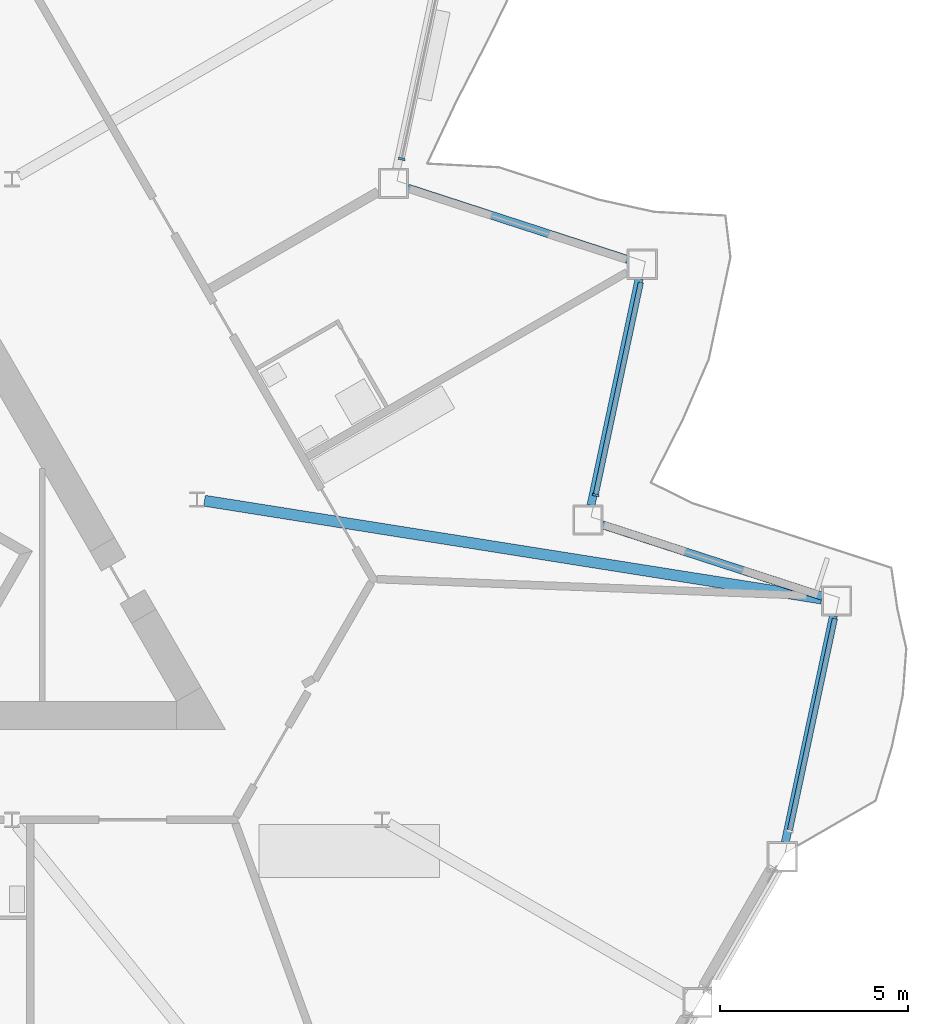
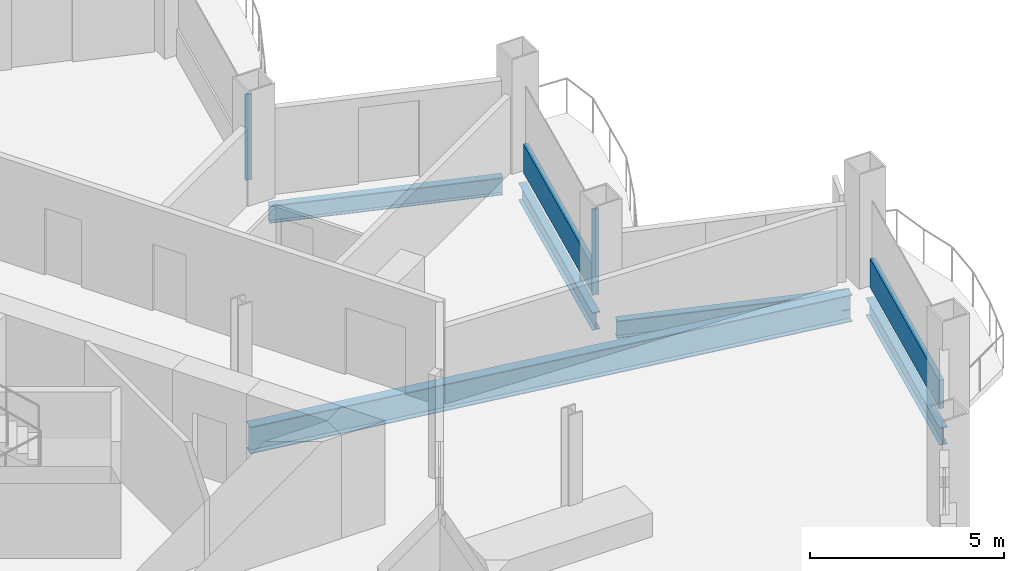
# One storey, part 7 of 23: 5 beams, 4 members, 3 elements without a shape of their own.
"""IFC4 building model written with IfcOpenShell, lengths in metres."""

from ifc_helpers import new_model, si_unit, direction, frame, origin, origin_2d, place, context, subcontext, project, spatial, rectangle, i_section, extrude, material, layer, layer_set, material_profile, profile_set, type_object, element, aggregate, save


model = new_model("IFC4")

# Units and contexts
model_context = context("Model", 3, precision=1e-05, world=origin(), true_north=direction((0.0, 1.0)))
body_context = subcontext(model_context, "Body", "Model", "MODEL_VIEW")
ifc_project = project(units=[si_unit("LENGTHUNIT", "METRE"), si_unit("AREAUNIT", "SQUARE_METRE"), si_unit("VOLUMEUNIT", "CUBIC_METRE"), si_unit("PLANEANGLEUNIT", "RADIAN"), si_unit("MASSUNIT", "GRAM", prefix="KILO")], contexts=[model_context])

# Site, building, storey
site_placement = place(None, origin())
site = spatial("IfcSite", under=ifc_project, at=site_placement, CompositionType="ELEMENT")
building_placement = place(site_placement, origin())
building = spatial("IfcBuilding", under=site, at=building_placement, Name="Cormorant Prow Tower", CompositionType="ELEMENT")
storey_placement = place(building_placement, frame((0.0, 0.0, 212.39990234375)))
storey = spatial("IfcBuildingStorey", under=building, at=storey_placement, Name="L47", CompositionType="ELEMENT", Elevation=212.39990234375)

# Curtain wall, member
ifc_material_1 = material(Name="Aluminium 6063-T6", Category="aluminium")
ifc_layer = layer(ifc_material_1, 0.179931640625)
ifc_layer_set = layer_set([ifc_layer], Name="Aluminium 6063-T6")
curtain_wall_type = type_object("IfcCurtainWallType", Name="Hotel unitised curtain wall 180", PredefinedType="NOTDEFINED", material=ifc_layer_set)
curtain_wall_1_placement = place(storey_placement, origin())
curtain_wall_1 = element("IfcCurtainWall", 1, at=curtain_wall_1_placement, inside=storey, type_object=curtain_wall_type, Name="Hotel curtain wall ENE02", PredefinedType="NOTDEFINED")
ifc_material_2 = material(Name="Aluminium 6063-T6", Category="aluminium")
ifc_material_profile_1 = material_profile(ifc_material_2, rectangle(XDim=0.179931640625, YDim=0.06005859375, at=origin_2d()), Name="Hotel mullion 60x180")
ifc_profile_set_1 = profile_set([ifc_material_profile_1], Name="Aluminium 6063-T6")
member_type_1 = type_object("IfcMemberType", Name="Hotel mullion 60x180", PredefinedType="MULLION", material=ifc_profile_set_1)
member_1_placement = place(storey_placement, frame((25.33837890625, -2.71728515625, 0.0), z_axis=(0.0, 0.0, 1.0), x_axis=(-0.978147602617, 0.207911681957, 0.0)))
member_1 = element("IfcMember", 2, at=member_1_placement, type_object=member_type_1, Name="Hotel mullion ENE02", PredefinedType="MULLION", context=body_context, shape_type="SweptSolid", body=[
    extrude(rectangle(XDim=0.179931640625, YDim=0.06005859375, at=origin_2d()), origin(), (0.0, 0.0, 1.0), 2.700927734375),
])

curtain_wall_2_placement = place(storey_placement, origin())
curtain_wall_2 = element("IfcCurtainWall", 3, at=curtain_wall_2_placement, inside=storey, type_object=curtain_wall_type, Name="Hotel curtain wall ENE04", PredefinedType="NOTDEFINED")
member_2_placement = place(storey_placement, frame((20.182861328125, 6.21240234375, 0.0), z_axis=(0.0, 0.0, 1.0), x_axis=(-0.978147596387, 0.20791171127, 0.0)))
member_2 = element("IfcMember", 4, at=member_2_placement, type_object=member_type_1, Name="Hotel mullion ENE04", PredefinedType="MULLION", context=body_context, shape_type="SweptSolid", body=[
    extrude(rectangle(XDim=0.179931640625, YDim=0.06005859375, at=origin_2d()), origin(), (0.0, 0.0, 1.0), 2.700927734375),
])
aggregate(curtain_wall_2, [member_2])

curtain_wall_3_placement = place(storey_placement, origin())
curtain_wall_3 = element("IfcCurtainWall", 5, at=curtain_wall_3_placement, inside=storey, type_object=curtain_wall_type, Name="Hotel curtain wall ENE00", PredefinedType="NOTDEFINED")
ifc_material_3 = material(Name="Terracotta", Category="masonry")
ifc_material_profile_2 = material_profile(ifc_material_3, rectangle(XDim=0.139892578125, YDim=0.89990234375, at=origin_2d()), Name="Hotel terracotta spandrel rail 140x900")
ifc_profile_set_2 = profile_set([ifc_material_profile_2], Name="Terracotta")
member_type_2 = type_object("IfcMemberType", Name="Hotel terracotta spandrel rail 140x900", PredefinedType="USERDEFINED", material=ifc_profile_set_2)
member_3_placement = place(storey_placement, frame((30.500244140625, -11.617919921875, 0.4501953125), z_axis=(0.207925883131, 0.978144583957, 0.0), x_axis=(-0.978144583957, 0.207925883131, 0.0)))
member_3 = element("IfcMember", 6, at=member_3_placement, type_object=member_type_2, Name="Hotel spandrel rail ENE00", ObjectType="TRANSOM", PredefinedType="USERDEFINED", context=body_context, shape_type="SweptSolid", body=[
    extrude(rectangle(XDim=0.139892578125, YDim=0.89990234375, at=origin_2d()), origin(), (0.0, 0.0, 1.0), 5.74169921875),
])
aggregate(curtain_wall_3, [member_3])

# Member
member_4_placement = place(storey_placement, frame((25.3447265625, -2.68798828125, 0.4501953125), z_axis=(0.207885200263, 0.9781532311, 0.0), x_axis=(-0.9781532311, 0.207885200263, 0.0)))
member_4 = element("IfcMember", 7, at=member_4_placement, type_object=member_type_2, Name="Hotel spandrel rail ENE02", ObjectType="TRANSOM", PredefinedType="USERDEFINED", context=body_context, shape_type="SweptSolid", body=[
    extrude(rectangle(XDim=0.139892578125, YDim=0.89990234375, at=origin_2d()), origin(), (0.0, 0.0, 1.0), 5.74169921875),
])

aggregate(curtain_wall_1, [member_1, member_4])

# Beams
ifc_material_4 = material(Name="Structural steel ASTM A992 Gr 50", Category="steel")
ifc_material_profile_3 = material_profile(ifc_material_4, i_section(OverallWidth=0.29296875, OverallDepth=0.845703125, WebThickness=0.015380859375, FlangeThickness=0.0244140625, at=origin_2d()), Name="W33x141")
ifc_profile_set_3 = profile_set([ifc_material_profile_3], Name="Structural steel ASTM A992 Gr 50")
beam_type_1 = type_object("IfcBeamType", Name="Radial floor beam W33x141", PredefinedType="BEAM", material=ifc_profile_set_3)
beam_1_placement = place(storey_placement, frame((14.94384765625, -2.869140625, -0.772705078125), z_axis=(0.987678058302, -0.156499371084, 0.0), x_axis=(0.156499371084, 0.987678058302, 0.0)))
element("IfcBeam", 8, at=beam_1_placement, inside=storey, type_object=beam_type_1, Name="Radial floor beam FB2 10 L47", PredefinedType="BEAM", context=body_context, shape_type="SweptSolid", body=[
    extrude(i_section(OverallWidth=0.29296875, OverallDepth=0.845703125, WebThickness=0.015380859375, FlangeThickness=0.0244140625, at=origin_2d()), origin(), (0.0, 0.0, 1.0), 16.604736328125),
])
ifc_material_5 = material(Name="Structural steel ASTM A992 Gr 50", Category="steel")
ifc_material_profile_4 = material_profile(ifc_material_5, i_section(OverallWidth=0.2138671875, OverallDepth=0.549072265625, WebThickness=0.0146484375, FlangeThickness=0.023681640625, at=origin_2d()), Name="W21x93")
ifc_profile_set_4 = profile_set([ifc_material_profile_4], Name="Structural steel ASTM A992 Gr 50")
beam_type_2 = type_object("IfcBeamType", Name="Spandrel beam W21x93", PredefinedType="SPANDREL", material=ifc_profile_set_4)
beam_2_placement = place(storey_placement, frame((30.377197265625, -11.93701171875, -0.62451171875), z_axis=(0.207904811195, 0.978149063018, 0.0), x_axis=(-0.978149063018, 0.207904811195, 0.0)))
element("IfcBeam", 9, at=beam_2_placement, inside=storey, type_object=beam_type_2, Name="Spandrel beam SB2 ENE00-ENE01 L47", PredefinedType="SPANDREL", context=body_context, shape_type="SweptSolid", body=[
    extrude(i_section(OverallWidth=0.2138671875, OverallDepth=0.549072265625, WebThickness=0.0146484375, FlangeThickness=0.023681640625, at=origin_2d()), origin(), (0.0, 0.0, 1.0), 6.149658203125),
])
beam_3_placement = place(storey_placement, frame((31.358642578125, -5.40673828125, -0.62451171875), z_axis=(-0.951057696564, 0.309013361859, 0.0), x_axis=(-0.309013361859, -0.951057696564, 0.0)))
element("IfcBeam", 10, at=beam_3_placement, inside=storey, type_object=beam_type_2, Name="Spandrel beam SB2 ENE01-ENE02 L47", PredefinedType="SPANDREL", context=body_context, shape_type="SweptSolid", body=[
    extrude(i_section(OverallWidth=0.2138671875, OverallDepth=0.549072265625, WebThickness=0.0146484375, FlangeThickness=0.023681640625, at=origin_2d()), origin(), (0.0, 0.0, 1.0), 6.14990234375),
])
beam_4_placement = place(storey_placement, frame((25.21240234375, -2.991455078125, -0.62451171875), z_axis=(0.207904811195, 0.978149063018, 0.0), x_axis=(-0.978149063018, 0.207904811195, 0.0)))
element("IfcBeam", 11, at=beam_4_placement, inside=storey, type_object=beam_type_2, Name="Spandrel beam SB2 ENE02-ENE03 L47", PredefinedType="SPANDREL", context=body_context, shape_type="SweptSolid", body=[
    extrude(i_section(OverallWidth=0.2138671875, OverallDepth=0.549072265625, WebThickness=0.0146484375, FlangeThickness=0.023681640625, at=origin_2d()), origin(), (0.0, 0.0, 1.0), 6.149658203125),
])
beam_5_placement = place(storey_placement, frame((26.19384765625, 3.538818359375, -0.62451171875), z_axis=(-0.951057696564, 0.309013361859, 0.0), x_axis=(-0.309013361859, -0.951057696564, 0.0)))
element("IfcBeam", 12, at=beam_5_placement, inside=storey, type_object=beam_type_2, Name="Spandrel beam SB2 ENE03-ENE04 L47", PredefinedType="SPANDREL", context=body_context, shape_type="SweptSolid", body=[
    extrude(i_section(OverallWidth=0.2138671875, OverallDepth=0.549072265625, WebThickness=0.0146484375, FlangeThickness=0.023681640625, at=origin_2d()), origin(), (0.0, 0.0, 1.0), 6.14990234375),
])

save(model, "model.ifc")
